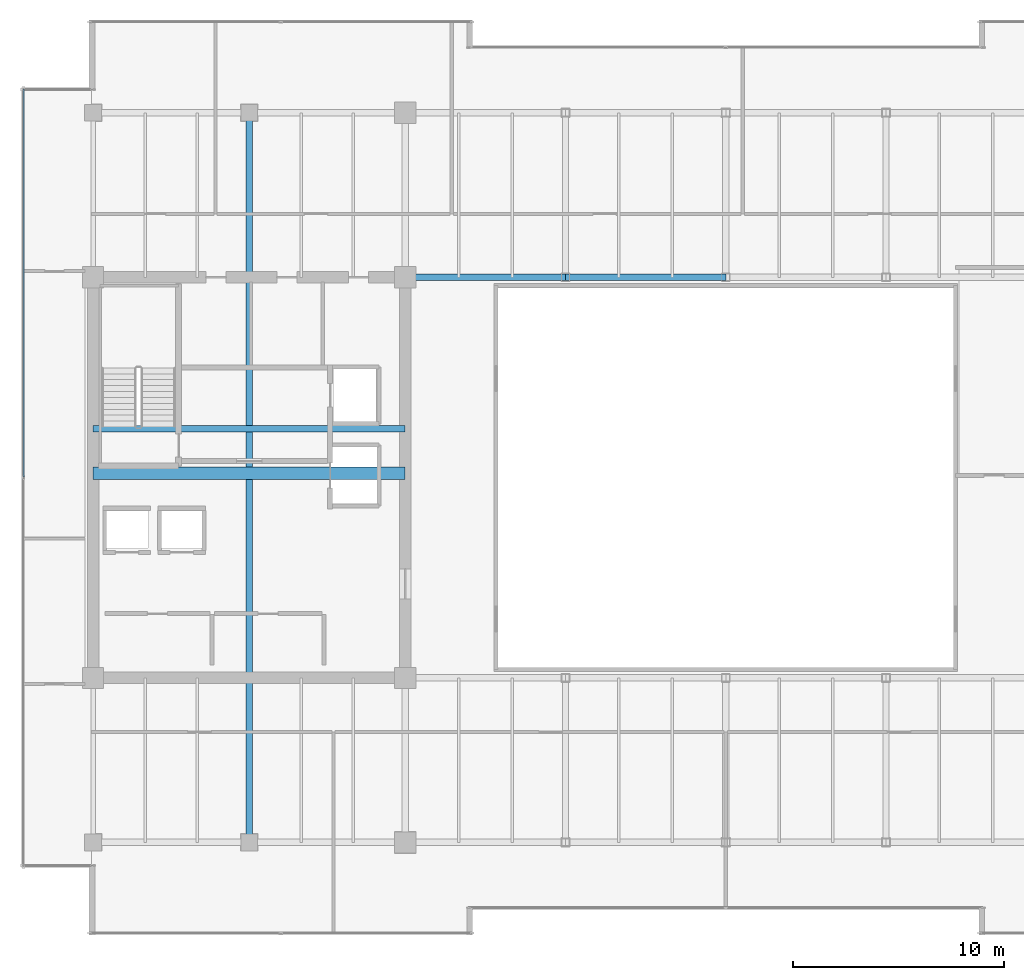
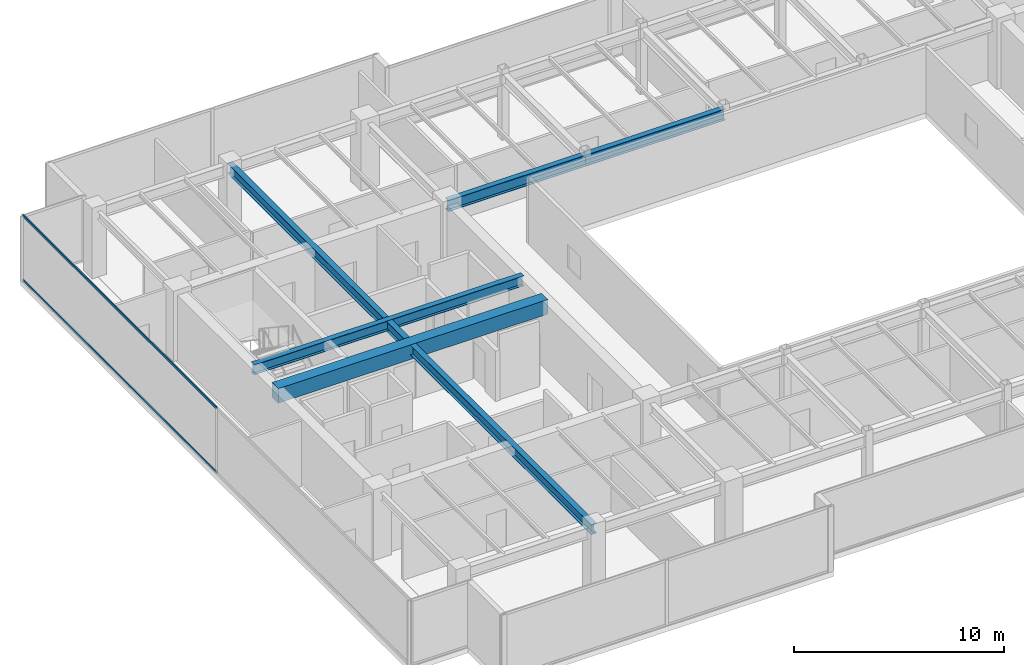
# One storey, part 10 of 36: 5 beams, 2 members, 1 element without a shape of its own.
"""IFC4 building model written with IfcOpenShell, lengths in metres."""

from ifc_helpers import new_model, si_unit, direction, frame, origin, origin_2d, place, context, subcontext, project, spatial, rectangle, hollow_rectangle, i_section, extrude, source, transform, mapped, material, layer, layer_set, material_profile, profile_set, type_object, type_shapes, element, aggregate, save


model = new_model("IFC4")

# Units and contexts
model_context = context("Model", 3, precision=1e-05, world=origin(), true_north=direction((0.0, 1.0)))
body_context = subcontext(model_context, "Body", "Model", "MODEL_VIEW")
ifc_project = project(units=[si_unit("LENGTHUNIT", "METRE"), si_unit("AREAUNIT", "SQUARE_METRE"), si_unit("VOLUMEUNIT", "CUBIC_METRE"), si_unit("PLANEANGLEUNIT", "RADIAN"), si_unit("MASSUNIT", "GRAM", prefix="KILO")], contexts=[model_context])

# Site, building, storey
site_placement = place(None, origin())
site = spatial("IfcSite", under=ifc_project, at=site_placement, CompositionType="ELEMENT")
building_placement = place(site_placement, origin())
building = spatial("IfcBuilding", under=site, at=building_placement, Name="Haelvirn Gate Laboratories", CompositionType="ELEMENT")
storey_placement = place(building_placement, frame((0.0, 0.0, 254.699951171875)))
storey = spatial("IfcBuildingStorey", under=building, at=storey_placement, Name="L61", CompositionType="ELEMENT", Elevation=254.699951171875)

# Beams
ifc_material_1 = material(Name="Steel SM355", Category="steel")
ifc_material_profile_1 = material_profile(ifc_material_1, i_section(OverallWidth=0.300048828125, OverallDepth=0.587890625, WebThickness=0.011962890625, FlangeThickness=0.02001953125, at=origin_2d()), Name="H-588x300x12x20")
ifc_profile_set_1 = profile_set([ifc_material_profile_1], Name="Steel SM355")
beam_type_1 = type_object("IfcBeamType", Name="BM-G-588", PredefinedType="BEAM", material=ifc_profile_set_1)
shared_shape_1 = source(origin(), body_context, "Body", "SweptSolid", [
    extrude(i_section(OverallWidth=0.300048828125, OverallDepth=0.587890625, WebThickness=0.011962890625, FlangeThickness=0.02001953125, at=origin_2d()), origin(), (0.0, 0.0, 1.0), 14.800048828125),
])
beam_1_placement = place(storey_placement, frame((7.39990234375, 26.6201171875, 3.506103515625), z_axis=(1.0, 0.0, 0.0), x_axis=(0.0, 1.0, 0.0)))
element("IfcBeam", 1, at=beam_1_placement, inside=storey, type_object=beam_type_1, Name="L61 Stair ST1 Landing Header", PredefinedType="BEAM", context=body_context, shape_type="MappedRepresentation", body=[
    mapped(shared_shape_1, transform((0.0, 0.0, 0.0), scale=1.0)),
])
shared_shape_2 = source(origin(), body_context, "Body", "SweptSolid", [
    extrude(i_section(OverallWidth=0.300048828125, OverallDepth=0.587890625, WebThickness=0.011962890625, FlangeThickness=0.02001953125, at=origin_2d()), origin(), (0.0, 0.0, 1.0), 34.60009765625),
])
type_shapes(beam_type_1, [shared_shape_1, shared_shape_2])
beam_2_placement = place(storey_placement, frame((14.800048828125, 7.0, 3.506103515625), z_axis=(0.0, 1.0, 0.0), x_axis=(-1.0, 0.0, 0.0)))
element("IfcBeam", 2, at=beam_2_placement, inside=storey, type_object=beam_type_1, Name="L61 Frame Girder X14.8 (7.0-41.6)", PredefinedType="BEAM", context=body_context, shape_type="MappedRepresentation", body=[
    mapped(shared_shape_2, transform((0.0, 0.0, 0.0), scale=1.0)),
])
ifc_material_2 = material(Name="Concrete C50/60", Category="concrete")
ifc_material_profile_2 = material_profile(ifc_material_2, rectangle(XDim=0.60009765625, YDim=0.85009765625, at=origin_2d()), Name="RCB-600x850")
ifc_profile_set_2 = profile_set([ifc_material_profile_2], Name="Concrete C50/60")
beam_type_2 = type_object("IfcBeamType", Name="BM-RCB-850", PredefinedType="LINTEL", material=ifc_profile_set_2)
shared_shape_3 = source(origin(), body_context, "Body", "SweptSolid", [
    extrude(rectangle(XDim=0.60009765625, YDim=0.85009765625, at=origin_2d()), origin(), (0.0, 0.0, 1.0), 14.800048828125),
])
type_shapes(beam_type_2, [shared_shape_3])
beam_3_placement = place(storey_placement, frame((7.39990234375, 24.5, 3.375), z_axis=(1.0, 0.0, 0.0), x_axis=(0.0, 1.0, 0.0)))
element("IfcBeam", 3, at=beam_3_placement, inside=storey, type_object=beam_type_2, Name="L61 West Core Coupling Beam", PredefinedType="LINTEL", context=body_context, shape_type="MappedRepresentation", body=[
    mapped(shared_shape_3, transform((0.0, 0.0, 0.0), scale=1.0)),
])
ifc_material_profile_3 = material_profile(ifc_material_1, i_section(OverallWidth=0.300048828125, OverallDepth=0.64990234375, WebThickness=0.012939453125, FlangeThickness=0.02197265625, at=origin_2d()), Name="H-650x300x13x22")
ifc_profile_set_3 = profile_set([ifc_material_profile_3], Name="Steel SM355")
beam_type_3 = type_object("IfcBeamType", Name="BM-G-650", PredefinedType="BEAM", material=ifc_profile_set_3)
shared_shape_4 = source(origin(), body_context, "Body", "SweptSolid", [
    extrude(i_section(OverallWidth=0.300048828125, OverallDepth=0.64990234375, WebThickness=0.012939453125, FlangeThickness=0.02197265625, at=origin_2d()), origin(), (0.0, 0.0, 1.0), 7.60009765625),
])
beam_4_placement = place(storey_placement, frame((22.199951171875, 33.800048828125, 3.47509765625), z_axis=(1.0, 0.0, 0.0), x_axis=(0.0, 1.0, 0.0)))
element("IfcBeam", 4, at=beam_4_placement, inside=storey, type_object=beam_type_3, Name="L61 Primary Girder Y33.8 (22.2-29.8)", PredefinedType="BEAM", context=body_context, shape_type="MappedRepresentation", body=[
    mapped(shared_shape_4, transform((0.0, 0.0, 0.0), scale=1.0)),
])
shared_shape_5 = source(origin(), body_context, "Body", "SweptSolid", [
    extrude(i_section(OverallWidth=0.300048828125, OverallDepth=0.64990234375, WebThickness=0.012939453125, FlangeThickness=0.02197265625, at=origin_2d()), origin(), (0.0, 0.0, 1.0), 7.599853515625),
])
type_shapes(beam_type_3, [shared_shape_4, shared_shape_5])
beam_5_placement = place(storey_placement, frame((29.800048828125, 33.800048828125, 3.47509765625), z_axis=(1.0, 0.0, 0.0), x_axis=(0.0, 1.0, 0.0)))
element("IfcBeam", 5, at=beam_5_placement, inside=storey, type_object=beam_type_3, Name="L61 Primary Girder Y33.8 (29.8-37.4)", PredefinedType="BEAM", context=body_context, shape_type="MappedRepresentation", body=[
    mapped(shared_shape_5, transform((0.0, 0.0, 0.0), scale=1.0)),
])

# Curtain wall, members
ifc_material_3 = material(Name="Anodised bronze unitised aluminium & triple low-E glass", Category="aluminium")
ifc_layer = layer(ifc_material_3, 0.176025390625, Name="CW-SYS-4")
ifc_layer_set = layer_set([ifc_layer], Name="Anodised bronze unitised aluminium & triple low-E glass")
curtain_wall_type = type_object("IfcCurtainWallType", Name="CW-SYS-4", PredefinedType="NOTDEFINED", material=ifc_layer_set)
curtain_wall_placement = place(storey_placement, origin())
curtain_wall = element("IfcCurtainWall", 6, at=curtain_wall_placement, inside=storey, type_object=curtain_wall_type, Name="L61 Unitised Curtain Wall CW-L61-P0-E17", PredefinedType="NOTDEFINED")
ifc_material_4 = material(Name="Extruded aluminium 6063-T6 (anodised bronze)", Category="aluminium")
ifc_material_profile_4 = material_profile(ifc_material_4, hollow_rectangle(XDim=0.06494140625, YDim=0.139892578125, WallThickness=0.00390625, at=origin_2d()), Name="CWT-140x65x4")
ifc_profile_set_4 = profile_set([ifc_material_profile_4], Name="Extruded aluminium 6063-T6 (anodised bronze)")
member_type = type_object("IfcMemberType", Name="CWT-T140", PredefinedType="USERDEFINED", material=ifc_profile_set_4)
shared_shape_6 = source(origin(), body_context, "Body", "SweptSolid", [
    extrude(hollow_rectangle(XDim=0.06494140625, YDim=0.139892578125, WallThickness=0.00390625, at=origin_2d()), origin(), (0.0, 0.0, 1.0), 18.39501953125),
])
type_shapes(member_type, [shared_shape_6])
member_1_placement = place(storey_placement, frame((4.10009765625, 42.72998046875, 0.032470703125), z_axis=(0.0, -1.0, 0.0), x_axis=(1.0, 0.0, 0.0)))
member_1 = element("IfcMember", 7, at=member_1_placement, type_object=member_type, Name="CW4 transom 1.1", ObjectType="TRANSOM", PredefinedType="USERDEFINED", context=body_context, shape_type="MappedRepresentation", body=[
    mapped(shared_shape_6, transform((0.0, 0.0, 0.0), scale=1.0)),
])
member_2_placement = place(storey_placement, frame((4.10009765625, 42.72998046875, 3.767578125), z_axis=(0.0, -1.0, 0.0), x_axis=(1.0, 0.0, 0.0)))
member_2 = element("IfcMember", 8, at=member_2_placement, type_object=member_type, Name="CW4 transom 1.2", ObjectType="TRANSOM", PredefinedType="USERDEFINED", context=body_context, shape_type="MappedRepresentation", body=[
    mapped(shared_shape_6, transform((0.0, 0.0, 0.0), scale=1.0)),
])
aggregate(curtain_wall, [member_1, member_2])

save(model, "model.ifc")
